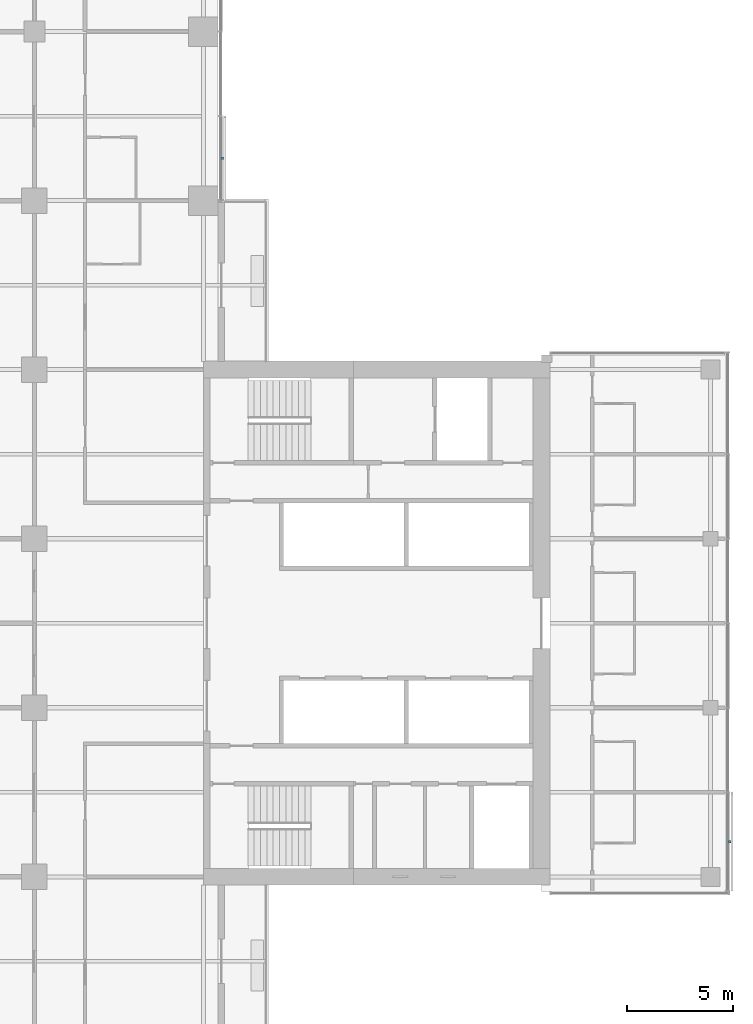
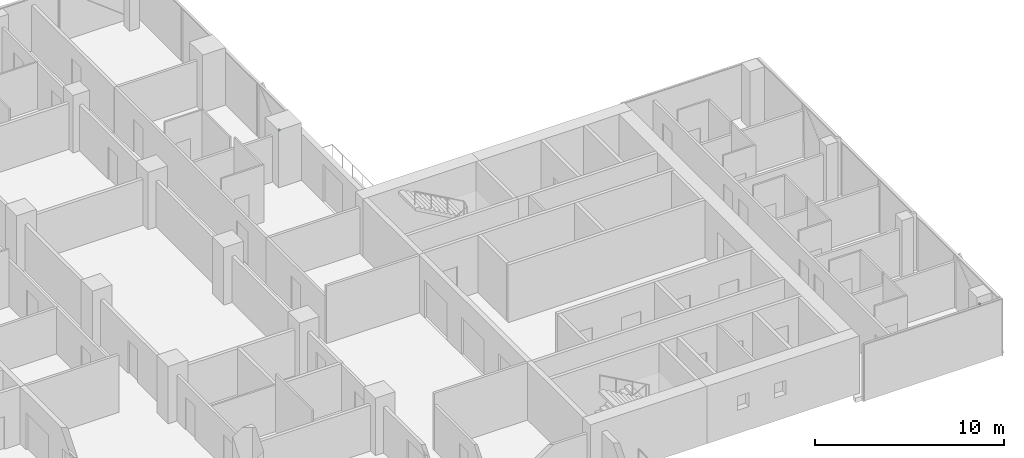
# One storey, part 25 of 27: 2 discrete accessories.
"""IFC4 building model written with IfcOpenShell, lengths in metres."""

from ifc_helpers import new_model, si_unit, direction, frame, origin, origin_2d, place, context, subcontext, project, spatial, rectangle, extrude, material, type_object, element, save


model = new_model("IFC4")

# Units and contexts
model_context = context("Model", 3, precision=1e-05, world=origin(), true_north=direction((0.0, 1.0)))
body_context = subcontext(model_context, "Body", "Model", "MODEL_VIEW")
ifc_project = project(units=[si_unit("LENGTHUNIT", "METRE"), si_unit("AREAUNIT", "SQUARE_METRE"), si_unit("VOLUMEUNIT", "CUBIC_METRE"), si_unit("PLANEANGLEUNIT", "RADIAN"), si_unit("MASSUNIT", "GRAM", prefix="KILO")], contexts=[model_context])

# Site, building, storey
site_placement = place(None, origin())
site = spatial("IfcSite", under=ifc_project, at=site_placement, CompositionType="ELEMENT")
building_placement = place(site_placement, origin())
building = spatial("IfcBuilding", under=site, at=building_placement, Name="Crosswind Convention Tower", CompositionType="ELEMENT")
storey_placement = place(building_placement, frame((0.0, 0.0, 94.199951171875)))
storey = spatial("IfcBuildingStorey", under=building, at=storey_placement, Name="L18", CompositionType="ELEMENT", Elevation=94.199951171875)

# Discrete accessories
ifc_material = material(Name="Stainless steel", Category="steel")
discrete_accessory_type = type_object("IfcDiscreteAccessoryType", Name="BAGUETTE BRACKET BK2", PredefinedType="BRACKET", material=ifc_material)
for number, where, z_axis, x_axis, name in (
    (1, (161.907958984375, 89.666259765625, 1.4775390625), (0.0, 0.0, 1.0), (0.0, 1.0, 0.0), "BK2 baguette bracket"),
    (2, (137.907958984375, 122.0, 1.4775390625), (0.0, 0.0, 1.0), (0.0, 1.0, 0.0), "BK2 baguette bracket"),
):
    element("IfcDiscreteAccessory", number, at=place(storey_placement, frame(where, z_axis=z_axis, x_axis=x_axis)), inside=storey, type_object=discrete_accessory_type, Name=name, PredefinedType="BRACKET", context=body_context, shape_type="SweptSolid", body=[
        extrude(rectangle(XDim=0.1201171875, YDim=0.10009765625, at=origin_2d()), origin(), (0.0, 0.0, 1.0), 0.1201171875),
    ])

save(model, "model.ifc")
